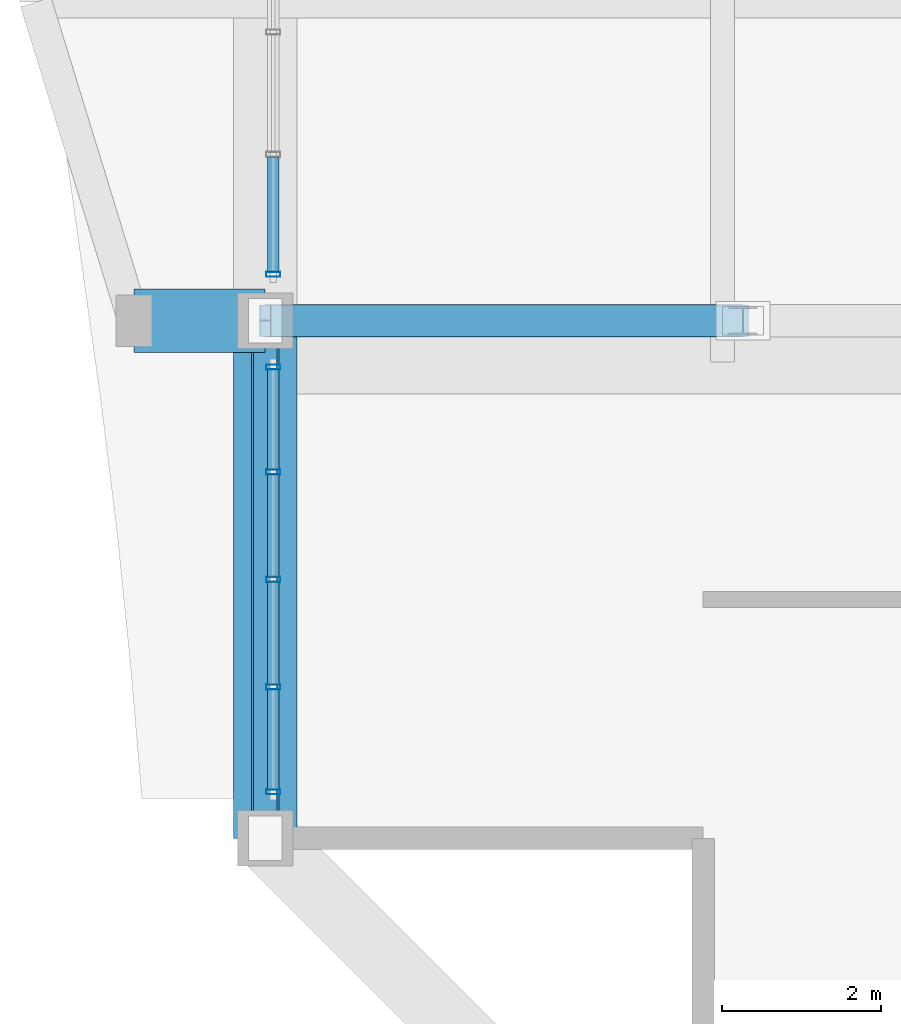
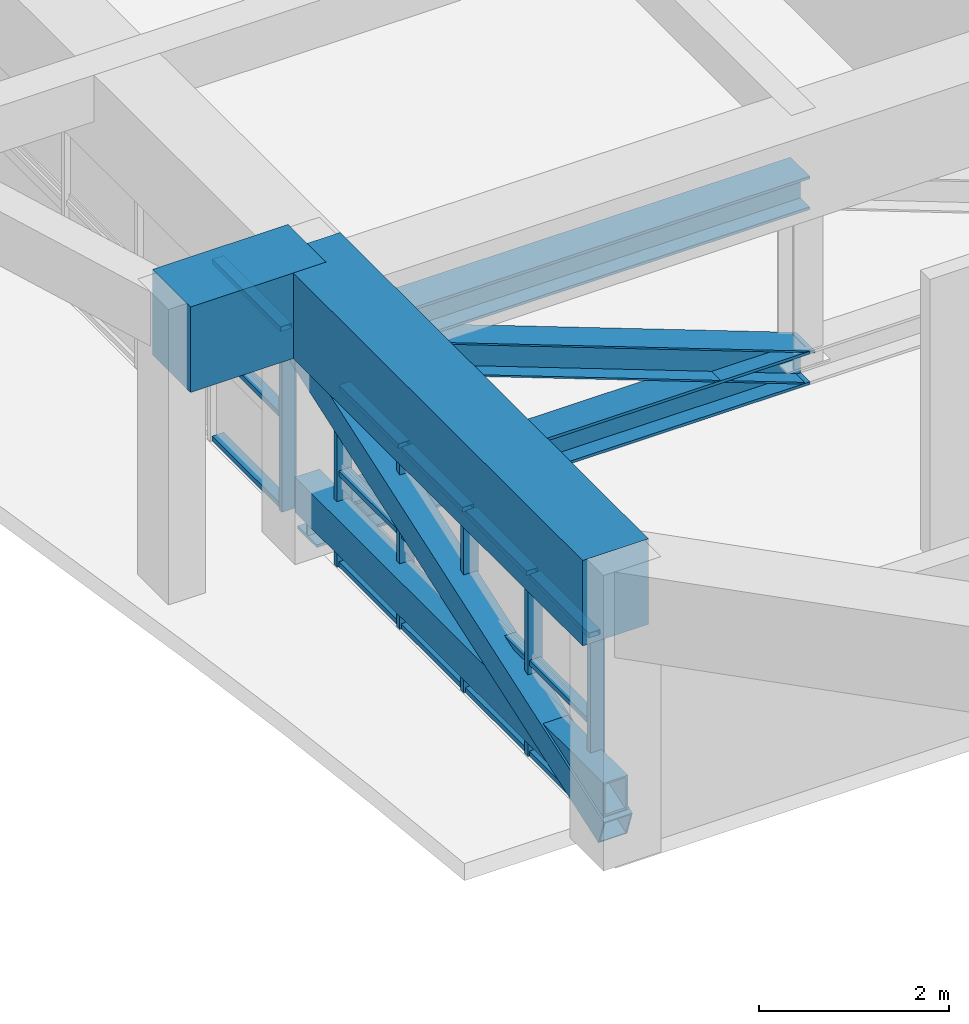
# One storey, part 2 of 25: 26 members, 2 beams, 2 elements without a shape of their own.
"""IFC4 building model written with IfcOpenShell, lengths in metres."""

from ifc_helpers import new_model, si_unit, direction, frame, origin, origin_2d, place, context, subcontext, project, spatial, rectangle, hollow_rectangle, i_section, extrude, source, transform, mapped, material, layer, layer_set, material_profile, profile_set, type_object, element, aggregate, save


model = new_model("IFC4")

# Units and contexts
model_context = context("Model", 3, precision=1e-05, world=origin(), true_north=direction((0.0, 1.0)))
body_context = subcontext(model_context, "Body", "Model", "MODEL_VIEW")
ifc_project = project(units=[si_unit("LENGTHUNIT", "METRE"), si_unit("AREAUNIT", "SQUARE_METRE"), si_unit("VOLUMEUNIT", "CUBIC_METRE"), si_unit("PLANEANGLEUNIT", "RADIAN"), si_unit("MASSUNIT", "GRAM", prefix="KILO")], contexts=[model_context])

# Site, building, storey
site_placement = place(None, origin())
site = spatial("IfcSite", under=ifc_project, at=site_placement, CompositionType="ELEMENT")
building_placement = place(site_placement, origin())
building = spatial("IfcBuilding", under=site, at=building_placement, Name="Saelheon Loggia Tower", CompositionType="ELEMENT")
storey_placement = place(building_placement, frame((0.0, 0.0, 206.5)))
storey = spatial("IfcBuildingStorey", under=building, at=storey_placement, Name="L64", CompositionType="ELEMENT", Elevation=206.5)

# Beams
ifc_material_1 = material(Name="Concrete C50/60", Category="concrete")
ifc_material_profile_1 = material_profile(ifc_material_1, rectangle(XDim=0.800048828125, YDim=1.10009765625, at=origin_2d()), Name="RC-800x1100")
ifc_profile_set_1 = profile_set([ifc_material_profile_1], Name="Concrete C50/60")
beam_type = type_object("IfcBeamType", Name="Beam_PerimSetback_RC800x1100", PredefinedType="BEAM", material=ifc_profile_set_1)
shared_shape_1 = source(origin(), body_context, "Body", "SweptSolid", [
    extrude(rectangle(XDim=0.800048828125, YDim=1.10009765625, at=origin_2d()), origin(), (0.0, 0.0, 1.0), 1.64990234375),
])
beam_1_placement = place(storey_placement, frame((19.5, 18.0, 3.25), z_axis=(-1.0, 0.0, 0.0), x_axis=(0.0, -1.0, 0.0)))
element("IfcBeam", 1, at=beam_1_placement, inside=storey, type_object=beam_type, Name="L64 Loggia Frame Tie Beam LP-W1", PredefinedType="BEAM", context=body_context, shape_type="MappedRepresentation", body=[
    mapped(shared_shape_1, transform((0.0, 0.0, 0.0), scale=1.0)),
])
shared_shape_2 = source(origin(), body_context, "Body", "SweptSolid", [
    extrude(rectangle(XDim=0.800048828125, YDim=1.10009765625, at=origin_2d()), origin(), (0.0, 0.0, 1.0), 6.5),
])
beam_2_placement = place(storey_placement, frame((19.5, 18.0, 3.25), z_axis=(0.0, -1.0, 0.0), x_axis=(1.0, 0.0, 0.0)))
element("IfcBeam", 2, at=beam_2_placement, inside=storey, type_object=beam_type, Name="L64 Perimeter Frame Girder 15", PredefinedType="BEAM", context=body_context, shape_type="MappedRepresentation", body=[
    mapped(shared_shape_2, transform((0.0, 0.0, 0.0), scale=1.0)),
])

# Members
ifc_material_2 = material(Name="Steel SM355", Category="steel")
ifc_material_profile_2 = material_profile(ifc_material_2, i_section(OverallWidth=0.406982421875, OverallDepth=0.427978515625, WebThickness=0.02001953125, FlangeThickness=0.034912109375, at=origin_2d()), Name="H-428x407x20x35")
ifc_profile_set_2 = profile_set([ifc_material_profile_2], Name="Steel SM355")
member_type_1 = type_object("IfcMemberType", Name="Outrigger_Chord_H428", PredefinedType="CHORD", material=ifc_profile_set_2)
shared_shape_3 = source(origin(), body_context, "Body", "SweptSolid", [
    extrude(i_section(OverallWidth=0.406982421875, OverallDepth=0.427978515625, WebThickness=0.02001953125, FlangeThickness=0.034912109375, at=origin_2d()), origin(), (0.0, 0.0, 1.0), 6.0),
])
for number, where, z_axis, x_axis, name in (
    (3, (25.5, 18.0, 0.219970703125), (-1.0, 0.0, 0.0), (0.0, -1.0, 0.0), "L64 Outrigger Bottom Chord SW-W 2"),
    (4, (25.5, 18.0, 2.469970703125), (-1.0, 0.0, 0.0), (0.0, -1.0, 0.0), "L64 Outrigger Top Chord SW-W 2"),
):
    element("IfcMember", number, at=place(storey_placement, frame(where, z_axis=z_axis, x_axis=x_axis)), inside=storey, type_object=member_type_1, Name=name, PredefinedType="CHORD", context=body_context, shape_type="MappedRepresentation", body=[
        mapped(shared_shape_3, transform((0.0, 0.0, 0.0), scale=1.0)),
    ])
ifc_material_profile_3 = material_profile(ifc_material_2, i_section(OverallWidth=0.39990234375, OverallDepth=0.39990234375, WebThickness=0.012939453125, FlangeThickness=0.02099609375, at=origin_2d()), Name="H-400x400x13x21")
ifc_profile_set_3 = profile_set([ifc_material_profile_3], Name="Steel SM355")
member_type_2 = type_object("IfcMemberType", Name="Outrigger_Brace_H400", PredefinedType="BRACE", material=ifc_profile_set_3)
shared_shape_4 = source(origin(), body_context, "Body", "SweptSolid", [
    extrude(i_section(OverallWidth=0.39990234375, OverallDepth=0.39990234375, WebThickness=0.012939453125, FlangeThickness=0.02099609375, at=origin_2d()), origin(), (0.0, 0.0, 1.0), 6.407958984375),
])
member_1_placement = place(storey_placement, frame((25.5, 18.0, 0.219970703125), z_axis=(-0.936329177569, 0.0, 0.351123441588), x_axis=(0.0, -1.0, 0.0)))
element("IfcMember", 5, at=member_1_placement, inside=storey, type_object=member_type_2, Name="L64 Outrigger Diagonal SW-W 2", PredefinedType="BRACE", context=body_context, shape_type="MappedRepresentation", body=[
    mapped(shared_shape_4, transform((0.0, 0.0, 0.0), scale=1.0)),
])
ifc_material_profile_4 = material_profile(ifc_material_2, hollow_rectangle(XDim=0.300048828125, YDim=0.449951171875, WallThickness=0.02001953125, at=origin_2d()), Name="RHS-450x300x20")
ifc_profile_set_4 = profile_set([ifc_material_profile_4], Name="Steel SM355")
member_type_3 = type_object("IfcMemberType", Name="Belt_Chord_RHS450", PredefinedType="CHORD", material=ifc_profile_set_4)
shared_shape_5 = source(origin(), body_context, "Body", "SweptSolid", [
    extrude(hollow_rectangle(XDim=0.300048828125, YDim=0.449951171875, WallThickness=0.02001953125, at=origin_2d()), origin(), (0.0, 0.0, 1.0), 6.5),
])
member_2_placement = place(storey_placement, frame((19.5, 11.5, 0.6201171875), z_axis=(0.0, 1.0, 0.0), x_axis=(-1.0, 0.0, 0.0)))
element("IfcMember", 6, at=member_2_placement, inside=storey, type_object=member_type_3, Name="L64 Belt Truss Chord BW1", PredefinedType="CHORD", context=body_context, shape_type="MappedRepresentation", body=[
    mapped(shared_shape_5, transform((0.0, 0.0, 0.0), scale=1.0)),
])
ifc_material_profile_5 = material_profile(ifc_material_2, hollow_rectangle(XDim=0.35009765625, YDim=0.35009765625, WallThickness=0.01611328125, at=origin_2d()), Name="RHS-350x350x16")
ifc_profile_set_5 = profile_set([ifc_material_profile_5], Name="Steel SM355")
member_type_4 = type_object("IfcMemberType", Name="Belt_Brace_RHS350", PredefinedType="BRACE", material=ifc_profile_set_5)
shared_shape_6 = source(origin(), body_context, "Body", "SweptSolid", [
    extrude(hollow_rectangle(XDim=0.35009765625, YDim=0.35009765625, WallThickness=0.01611328125, at=origin_2d()), origin(), (0.0, 0.0, 1.0), 6.87841796875),
])
member_3_placement = place(storey_placement, frame((19.5, 11.5, 0.219970703125), z_axis=(0.0, 0.94498607344, 0.327110563883), x_axis=(-1.0, 0.0, 0.0)))
element("IfcMember", 7, at=member_3_placement, inside=storey, type_object=member_type_4, Name="L64 Belt Truss Brace BW1", PredefinedType="BRACE", context=body_context, shape_type="MappedRepresentation", body=[
    mapped(shared_shape_6, transform((0.0, 0.0, 0.0), scale=1.0)),
])

# Curtain wall, members
ifc_material_3 = material(Name="Anodised Aluminium Acoustic Louvre Curtain Wall", Category="aluminium")
ifc_layer = layer(ifc_material_3, 0.179931640625)
ifc_layer_set = layer_set([ifc_layer], Name="Anodised Aluminium Acoustic Louvre Curtain Wall")
curtain_wall_type = type_object("IfcCurtainWallType", Name="CW_RefugeAcoustic", PredefinedType="NOTDEFINED", material=ifc_layer_set)
curtain_wall_1_placement = place(storey_placement, origin())
curtain_wall_1 = element("IfcCurtainWall", 8, at=curtain_wall_1_placement, inside=storey, type_object=curtain_wall_type, Name="L64 W Refuge Acoustic Curtain Wall 2", PredefinedType="NOTDEFINED")
ifc_material_4 = material(Name="Anodised Aluminium 6063-T6", Category="aluminium")
ifc_material_profile_6 = material_profile(ifc_material_4, hollow_rectangle(XDim=0.06494140625, YDim=0.139892578125, WallThickness=0.00390625, at=origin_2d()), Name="RHS-140x65x4")
ifc_profile_set_6 = profile_set([ifc_material_profile_6], Name="Anodised Aluminium 6063-T6")
member_type_5 = type_object("IfcMemberType", Name="CW_RefugeAcoustic_Transom", PredefinedType="USERDEFINED", material=ifc_profile_set_6)
shared_shape_7 = source(origin(), body_context, "Body", "SweptSolid", [
    extrude(hollow_rectangle(XDim=0.06494140625, YDim=0.139892578125, WallThickness=0.00390625, at=origin_2d()), origin(), (0.0, 0.0, 1.0), 1.43896484375),
])
member_4_placement = place(storey_placement, frame((19.60009765625, 18.614990234375, 0.032470703125), z_axis=(0.0, 1.0, 0.0), x_axis=(0.0, 0.0, 1.0)))
member_4 = element("IfcMember", 9, at=member_4_placement, type_object=member_type_5, Name="CW5 transom 1.1", ObjectType="TRANSOM", PredefinedType="USERDEFINED", context=body_context, shape_type="MappedRepresentation", body=[
    mapped(shared_shape_7, transform((0.0, 0.0, 0.0), scale=1.0)),
])
member_5_placement = place(storey_placement, frame((19.60009765625, 18.614990234375, 1.199951171875), z_axis=(0.0, 1.0, 0.0), x_axis=(0.0, 0.0, 1.0)))
member_5 = element("IfcMember", 10, at=member_5_placement, type_object=member_type_5, Name="CW5 transom 1.2", ObjectType="TRANSOM", PredefinedType="USERDEFINED", context=body_context, shape_type="MappedRepresentation", body=[
    mapped(shared_shape_7, transform((0.0, 0.0, 0.0), scale=1.0)),
])
member_6_placement = place(storey_placement, frame((19.60009765625, 18.614990234375, 2.3076171875), z_axis=(0.0, 1.0, 0.0), x_axis=(0.0, 0.0, 1.0)))
member_6 = element("IfcMember", 11, at=member_6_placement, type_object=member_type_5, Name="CW5 transom 1.3", ObjectType="TRANSOM", PredefinedType="USERDEFINED", context=body_context, shape_type="MappedRepresentation", body=[
    mapped(shared_shape_7, transform((0.0, 0.0, 0.0), scale=1.0)),
])

curtain_wall_2_placement = place(storey_placement, origin())
curtain_wall_2 = element("IfcCurtainWall", 12, at=curtain_wall_2_placement, inside=storey, type_object=curtain_wall_type, Name="L64 W Refuge Acoustic Curtain Wall 1", PredefinedType="NOTDEFINED")
ifc_material_profile_7 = material_profile(ifc_material_4, hollow_rectangle(XDim=0.06494140625, YDim=0.179931640625, WallThickness=0.00390625, at=origin_2d()), Name="RHS-180x65x4")
ifc_profile_set_7 = profile_set([ifc_material_profile_7], Name="Anodised Aluminium 6063-T6")
member_type_6 = type_object("IfcMemberType", Name="CW_RefugeAcoustic_Mullion", PredefinedType="MULLION", material=ifc_profile_set_7)
shared_shape_8 = source(origin(), body_context, "Body", "SweptSolid", [
    extrude(hollow_rectangle(XDim=0.06494140625, YDim=0.179931640625, WallThickness=0.00390625, at=origin_2d()), origin(), (0.0, 0.0, 1.0), 2.340087890625),
])
member_7_placement = place(storey_placement, frame((19.60009765625, 12.08251953125, 0.0), z_axis=(0.0, 0.0, 1.0), x_axis=(0.0, 1.0, 0.0)))
member_7 = element("IfcMember", 13, at=member_7_placement, type_object=member_type_6, Name="CW5 mullion 1", PredefinedType="MULLION", context=body_context, shape_type="MappedRepresentation", body=[
    mapped(shared_shape_8, transform((0.0, 0.0, 0.0), scale=1.0)),
])
member_8_placement = place(storey_placement, frame((19.60009765625, 13.39990234375, 0.0), z_axis=(0.0, 0.0, 1.0), x_axis=(0.0, 1.0, 0.0)))
member_8 = element("IfcMember", 14, at=member_8_placement, type_object=member_type_6, Name="CW5 mullion 2", PredefinedType="MULLION", context=body_context, shape_type="MappedRepresentation", body=[
    mapped(shared_shape_8, transform((0.0, 0.0, 0.0), scale=1.0)),
])
member_9_placement = place(storey_placement, frame((19.60009765625, 14.75, 0.0), z_axis=(0.0, 0.0, 1.0), x_axis=(0.0, 1.0, 0.0)))
member_9 = element("IfcMember", 15, at=member_9_placement, type_object=member_type_6, Name="CW5 mullion 3", PredefinedType="MULLION", context=body_context, shape_type="MappedRepresentation", body=[
    mapped(shared_shape_8, transform((0.0, 0.0, 0.0), scale=1.0)),
])
member_10_placement = place(storey_placement, frame((19.60009765625, 16.10009765625, 0.0), z_axis=(0.0, 0.0, 1.0), x_axis=(0.0, 1.0, 0.0)))
member_10 = element("IfcMember", 16, at=member_10_placement, type_object=member_type_6, Name="CW5 mullion 4", PredefinedType="MULLION", context=body_context, shape_type="MappedRepresentation", body=[
    mapped(shared_shape_8, transform((0.0, 0.0, 0.0), scale=1.0)),
])
member_11_placement = place(storey_placement, frame((19.60009765625, 17.41748046875, 0.0), z_axis=(0.0, 0.0, 1.0), x_axis=(0.0, 1.0, 0.0)))
member_11 = element("IfcMember", 17, at=member_11_placement, type_object=member_type_6, Name="CW5 mullion 5", PredefinedType="MULLION", context=body_context, shape_type="MappedRepresentation", body=[
    mapped(shared_shape_8, transform((0.0, 0.0, 0.0), scale=1.0)),
])

# Member
member_12_placement = place(storey_placement, frame((19.60009765625, 18.58251953125, 0.0), z_axis=(0.0, 0.0, 1.0), x_axis=(0.0, 1.0, 0.0)))
member_12 = element("IfcMember", 18, at=member_12_placement, type_object=member_type_6, Name="CW5 mullion 1", PredefinedType="MULLION", context=body_context, shape_type="MappedRepresentation", body=[
    mapped(shared_shape_8, transform((0.0, 0.0, 0.0), scale=1.0)),
])

aggregate(curtain_wall_1, [member_12, member_4, member_5, member_6])

shared_shape_9 = source(origin(), body_context, "Body", "SweptSolid", [
    extrude(hollow_rectangle(XDim=0.06494140625, YDim=0.139892578125, WallThickness=0.00390625, at=origin_2d()), origin(), (0.0, 0.0, 1.0), 1.25244140625),
])
member_13_placement = place(storey_placement, frame((19.60009765625, 12.114990234375, 0.032470703125), z_axis=(0.0, 1.0, 0.0), x_axis=(0.0, 0.0, 1.0)))
member_13 = element("IfcMember", 19, at=member_13_placement, type_object=member_type_5, Name="CW5 transom 1.1", ObjectType="TRANSOM", PredefinedType="USERDEFINED", context=body_context, shape_type="MappedRepresentation", body=[
    mapped(shared_shape_9, transform((0.0, 0.0, 0.0), scale=1.0)),
])

member_14_placement = place(storey_placement, frame((19.60009765625, 12.114990234375, 1.199951171875), z_axis=(0.0, 1.0, 0.0), x_axis=(0.0, 0.0, 1.0)))
member_14 = element("IfcMember", 20, at=member_14_placement, type_object=member_type_5, Name="CW5 transom 1.2", ObjectType="TRANSOM", PredefinedType="USERDEFINED", context=body_context, shape_type="MappedRepresentation", body=[
    mapped(shared_shape_9, transform((0.0, 0.0, 0.0), scale=1.0)),
])

member_15_placement = place(storey_placement, frame((19.60009765625, 12.114990234375, 2.3076171875), z_axis=(0.0, 1.0, 0.0), x_axis=(0.0, 0.0, 1.0)))
member_15 = element("IfcMember", 21, at=member_15_placement, type_object=member_type_5, Name="CW5 transom 1.3", ObjectType="TRANSOM", PredefinedType="USERDEFINED", context=body_context, shape_type="MappedRepresentation", body=[
    mapped(shared_shape_9, transform((0.0, 0.0, 0.0), scale=1.0)),
])

member_16_placement = place(storey_placement, frame((19.60009765625, 16.132568359375, 0.032470703125), z_axis=(0.0, 1.0, 0.0), x_axis=(0.0, 0.0, 1.0)))
member_16 = element("IfcMember", 22, at=member_16_placement, type_object=member_type_5, Name="CW5 transom 4.1", ObjectType="TRANSOM", PredefinedType="USERDEFINED", context=body_context, shape_type="MappedRepresentation", body=[
    mapped(shared_shape_9, transform((0.0, 0.0, 0.0), scale=1.0)),
])

member_17_placement = place(storey_placement, frame((19.60009765625, 16.132568359375, 1.199951171875), z_axis=(0.0, 1.0, 0.0), x_axis=(0.0, 0.0, 1.0)))
member_17 = element("IfcMember", 23, at=member_17_placement, type_object=member_type_5, Name="CW5 transom 4.2", ObjectType="TRANSOM", PredefinedType="USERDEFINED", context=body_context, shape_type="MappedRepresentation", body=[
    mapped(shared_shape_9, transform((0.0, 0.0, 0.0), scale=1.0)),
])

member_18_placement = place(storey_placement, frame((19.60009765625, 16.132568359375, 2.3076171875), z_axis=(0.0, 1.0, 0.0), x_axis=(0.0, 0.0, 1.0)))
member_18 = element("IfcMember", 24, at=member_18_placement, type_object=member_type_5, Name="CW5 transom 4.3", ObjectType="TRANSOM", PredefinedType="USERDEFINED", context=body_context, shape_type="MappedRepresentation", body=[
    mapped(shared_shape_9, transform((0.0, 0.0, 0.0), scale=1.0)),
])

shared_shape_10 = source(origin(), body_context, "Body", "SweptSolid", [
    extrude(hollow_rectangle(XDim=0.06494140625, YDim=0.139892578125, WallThickness=0.00390625, at=origin_2d()), origin(), (0.0, 0.0, 1.0), 1.284912109375),
])
member_19_placement = place(storey_placement, frame((19.60009765625, 13.4326171875, 0.032470703125), z_axis=(0.0, 1.0, 0.0), x_axis=(0.0, 0.0, 1.0)))
member_19 = element("IfcMember", 25, at=member_19_placement, type_object=member_type_5, Name="CW5 transom 2.1", ObjectType="TRANSOM", PredefinedType="USERDEFINED", context=body_context, shape_type="MappedRepresentation", body=[
    mapped(shared_shape_10, transform((0.0, 0.0, 0.0), scale=1.0)),
])

member_20_placement = place(storey_placement, frame((19.60009765625, 13.4326171875, 1.199951171875), z_axis=(0.0, 1.0, 0.0), x_axis=(0.0, 0.0, 1.0)))
member_20 = element("IfcMember", 26, at=member_20_placement, type_object=member_type_5, Name="CW5 transom 2.2", ObjectType="TRANSOM", PredefinedType="USERDEFINED", context=body_context, shape_type="MappedRepresentation", body=[
    mapped(shared_shape_10, transform((0.0, 0.0, 0.0), scale=1.0)),
])

member_21_placement = place(storey_placement, frame((19.60009765625, 13.4326171875, 2.3076171875), z_axis=(0.0, 1.0, 0.0), x_axis=(0.0, 0.0, 1.0)))
member_21 = element("IfcMember", 27, at=member_21_placement, type_object=member_type_5, Name="CW5 transom 2.3", ObjectType="TRANSOM", PredefinedType="USERDEFINED", context=body_context, shape_type="MappedRepresentation", body=[
    mapped(shared_shape_10, transform((0.0, 0.0, 0.0), scale=1.0)),
])

member_22_placement = place(storey_placement, frame((19.60009765625, 14.782470703125, 0.032470703125), z_axis=(0.0, 1.0, 0.0), x_axis=(0.0, 0.0, 1.0)))
member_22 = element("IfcMember", 28, at=member_22_placement, type_object=member_type_5, Name="CW5 transom 3.1", ObjectType="TRANSOM", PredefinedType="USERDEFINED", context=body_context, shape_type="MappedRepresentation", body=[
    mapped(shared_shape_10, transform((0.0, 0.0, 0.0), scale=1.0)),
])

member_23_placement = place(storey_placement, frame((19.60009765625, 14.782470703125, 1.199951171875), z_axis=(0.0, 1.0, 0.0), x_axis=(0.0, 0.0, 1.0)))
member_23 = element("IfcMember", 29, at=member_23_placement, type_object=member_type_5, Name="CW5 transom 3.2", ObjectType="TRANSOM", PredefinedType="USERDEFINED", context=body_context, shape_type="MappedRepresentation", body=[
    mapped(shared_shape_10, transform((0.0, 0.0, 0.0), scale=1.0)),
])

member_24_placement = place(storey_placement, frame((19.60009765625, 14.782470703125, 2.3076171875), z_axis=(0.0, 1.0, 0.0), x_axis=(0.0, 0.0, 1.0)))
member_24 = element("IfcMember", 30, at=member_24_placement, type_object=member_type_5, Name="CW5 transom 3.3", ObjectType="TRANSOM", PredefinedType="USERDEFINED", context=body_context, shape_type="MappedRepresentation", body=[
    mapped(shared_shape_10, transform((0.0, 0.0, 0.0), scale=1.0)),
])

aggregate(curtain_wall_2, [member_7, member_8, member_9, member_10, member_11, member_13, member_14, member_15, member_19, member_20, member_21, member_22, member_23, member_24, member_16, member_17, member_18])

save(model, "model.ifc")
